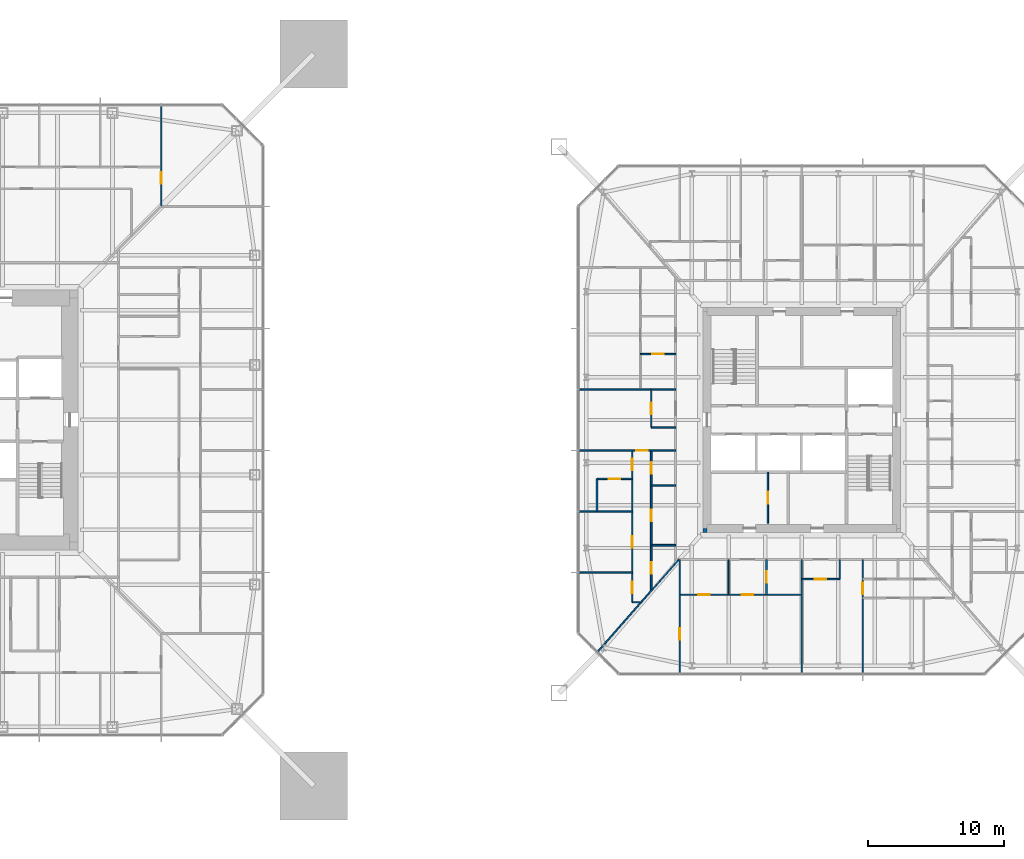
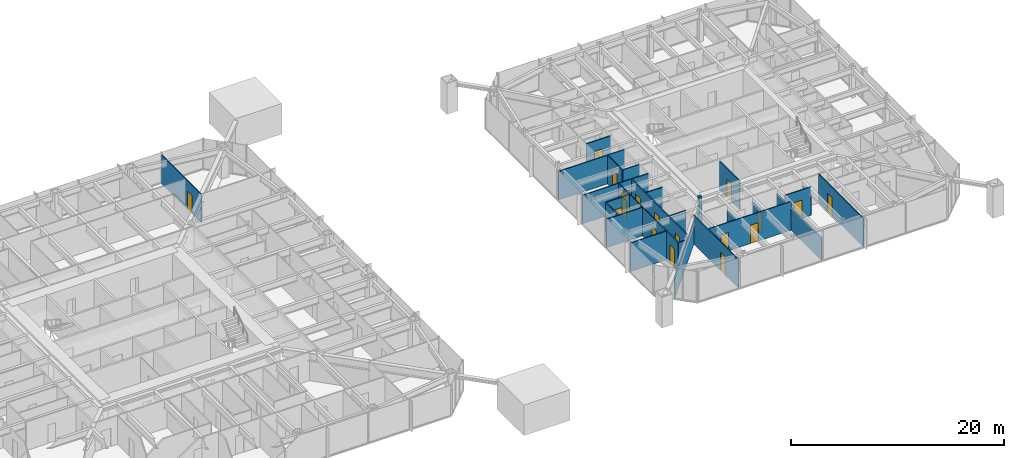
# One storey, part 18 of 26: 26 walls, 18 doors, 18 openings.
"""IFC4 building model written with IfcOpenShell, lengths in metres."""

from ifc_helpers import new_model, si_unit, direction, frame, frame_2d, origin, place, context, subcontext, project, spatial, rectangle, extrude, material, layer, layer_set, type_object, element, fill, save


model = new_model("IFC4")

# Units and contexts
model_context = context("Model", 3, precision=1e-05, world=origin(), true_north=direction((0.0, 1.0)))
body_context = subcontext(model_context, "Body", "Model", "MODEL_VIEW")
ifc_project = project(units=[si_unit("LENGTHUNIT", "METRE"), si_unit("AREAUNIT", "SQUARE_METRE"), si_unit("VOLUMEUNIT", "CUBIC_METRE"), si_unit("PLANEANGLEUNIT", "RADIAN"), si_unit("MASSUNIT", "GRAM", prefix="KILO")], contexts=[model_context])

# Site, building, storey
site_placement = place(None, origin())
site = spatial("IfcSite", under=ifc_project, at=site_placement, CompositionType="ELEMENT")
building_placement = place(site_placement, origin())
building = spatial("IfcBuilding", under=site, at=building_placement, Name="Iwan Alto Co-Living Towers", CompositionType="ELEMENT")
storey_placement = place(building_placement, frame((0.0, 0.0, 67.5)))
storey = spatial("IfcBuildingStorey", under=building, at=storey_placement, Name="L18", CompositionType="ELEMENT", Elevation=67.5)

# Wall
ifc_material_1 = material(Name="Gypsum board")
ifc_layer_1 = layer(ifc_material_1, 0.012451171875, Name="Board", Category="Finish")
ifc_material_2 = material(Name="Steel ASTM A1003 ST33H cold-formed studs", Category="steel")
ifc_layer_2 = layer(ifc_material_2, 0.074951171875, Name="Studs", Category="Framing")
ifc_layer_3 = layer(ifc_material_1, 0.012451171875, Name="Board", Category="Finish")
ifc_layer_set_1 = layer_set([ifc_layer_1, ifc_layer_2, ifc_layer_3], Name="PARTITION 100")
wall_type_1 = type_object("IfcWallType", Name="PARTITION 100", PredefinedType="PARTITIONING", material=ifc_layer_set_1)
wall_1_placement = place(storey_placement, frame((50.5, -13.449951171875, 0.0), z_axis=(0.0, 0.0, 1.0), x_axis=(1.0, 0.0, 0.0)))
element("IfcWall", 1, at=wall_1_placement, inside=storey, type_object=wall_type_1, Name="Partition L18", PredefinedType="PARTITIONING", context=body_context, shape_type="SweptSolid", body=[
    extrude(rectangle(XDim=0.6640625, YDim=0.10009765625, at=frame_2d((0.33203125, 0.0))), origin(), (0.0, 0.0, 1.0), 3.27001953125),
])

# Wall, openings, doors
wall_2_placement = place(storey_placement, frame((54.0, -12.89990234375, 0.0), z_axis=(0.0, 0.0, 1.0), x_axis=(1.0, 0.0, 0.0)))
wall_2 = element("IfcWall", 2, at=wall_2_placement, inside=storey, type_object=wall_type_1, Name="Partition L18", PredefinedType="PARTITIONING", context=body_context, shape_type="SweptSolid", body=[
    extrude(rectangle(XDim=9.0, YDim=0.10009765625, at=frame_2d((4.5, 0.0))), origin(), (0.0, 0.0, 1.0), 3.27001953125),
])
opening_1_placement = place(wall_2_placement, frame((1.375, 0.0, 0.0)))
opening_1 = element("IfcOpeningElement", 3, at=opening_1_placement, cuts=wall_2, Name="Opening D2", PredefinedType="OPENING", context=body_context, shape_type="SweptSolid", body=[
    extrude(rectangle(XDim=0.85009765625, YDim=2.10009765625, at=frame_2d((0.425048828125, 1.050048828125))), frame((0.0, 0.06005859375, 0.0), z_axis=(0.0, -1.0, 0.0), x_axis=(1.0, 0.0, 0.0)), (0.0, 0.0, 1.0), 0.1201171875),
])
opening_2_placement = place(wall_2_placement, frame((4.574951171875, 0.0, 0.0)))
opening_2 = element("IfcOpeningElement", 4, at=opening_2_placement, cuts=wall_2, Name="Opening D2", PredefinedType="OPENING", context=body_context, shape_type="SweptSolid", body=[
    extrude(rectangle(XDim=0.85009765625, YDim=2.10009765625, at=frame_2d((0.425048828125, 1.050048828125))), frame((0.0, 0.06005859375, 0.0), z_axis=(0.0, -1.0, 0.0), x_axis=(1.0, 0.0, 0.0)), (0.0, 0.0, 1.0), 0.1201171875),
])
ifc_material_3 = material(Name="Timber leaf in steel frame", Category="steel")
door_type_1 = type_object("IfcDoorType", Name="ROOM DOOR 850X2100", OperationType="SINGLE_SWING_LEFT", PredefinedType="DOOR", material=ifc_material_3)
door_1_placement = place(opening_1_placement, frame((0.85009765625, 0.0, 0.0), z_axis=(0.0, 0.0, 1.0), x_axis=(-1.0, 0.0, 0.0)))
door_1 = element("IfcDoor", 5, at=door_1_placement, inside=storey, type_object=door_type_1, Name="Kitchen door L18", OperationType="SINGLE_SWING_RIGHT", OverallHeight=2.10009765625, OverallWidth=0.85009765625, PredefinedType="DOOR", context=body_context, shape_type="SweptSolid", body=[
    extrude(rectangle(XDim=0.85009765625, YDim=2.10009765625, at=frame_2d((0.425048828125, 1.050048828125))), frame((0.0, 0.02490234375, 0.0), z_axis=(0.0, -1.0, 0.0), x_axis=(1.0, 0.0, 0.0)), (0.0, 0.0, 1.0), 0.050048828125),
])
fill(opening_1, door_1)
door_2_placement = place(opening_2_placement, frame((0.85009765625, 0.0, 0.0), z_axis=(0.0, 0.0, 1.0), x_axis=(-1.0, 0.0, 0.0)))
door_2 = element("IfcDoor", 6, at=door_2_placement, inside=storey, type_object=door_type_1, Name="Apartment foyer door L18", OperationType="SINGLE_SWING_LEFT", OverallHeight=2.10009765625, OverallWidth=0.85009765625, PredefinedType="DOOR", context=body_context, shape_type="SweptSolid", body=[
    extrude(rectangle(XDim=0.85009765625, YDim=2.10009765625, at=frame_2d((0.425048828125, 1.050048828125))), frame((0.0, 0.02490234375, 0.0), z_axis=(0.0, -1.0, 0.0), x_axis=(1.0, 0.0, 0.0)), (0.0, 0.0, 1.0), 0.050048828125),
])
fill(opening_2, door_2)

# Wall, opening, door
wall_3_placement = place(storey_placement, frame((63.0, -11.75, 0.0), z_axis=(0.0, 0.0, 1.0), x_axis=(1.0, 0.0, 0.0)))
wall_3 = element("IfcWall", 7, at=wall_3_placement, inside=storey, type_object=wall_type_1, Name="Partition L18", PredefinedType="PARTITIONING", context=body_context, shape_type="SweptSolid", body=[
    extrude(rectangle(XDim=2.800048828125, YDim=0.10009765625, at=frame_2d((1.39990234375, 0.0))), origin(), (0.0, 0.0, 1.0), 3.27001953125),
])
opening_3_placement = place(wall_3_placement, frame((0.97509765625, 0.0, 0.0)))
opening_3 = element("IfcOpeningElement", 8, at=opening_3_placement, cuts=wall_3, Name="Opening D2", PredefinedType="OPENING", context=body_context, shape_type="SweptSolid", body=[
    extrude(rectangle(XDim=0.85009765625, YDim=2.10009765625, at=frame_2d((0.425048828125, 1.050048828125))), frame((0.0, 0.06005859375, 0.0), z_axis=(0.0, -1.0, 0.0), x_axis=(1.0, 0.0, 0.0)), (0.0, 0.0, 1.0), 0.1201171875),
])
door_3_placement = place(opening_3_placement, frame((0.85009765625, 0.0, 0.0), z_axis=(0.0, 0.0, 1.0), x_axis=(-1.0, 0.0, 0.0)))
door_3 = element("IfcDoor", 9, at=door_3_placement, inside=storey, type_object=door_type_1, Name="Apartment foyer door L18", OperationType="SINGLE_SWING_RIGHT", OverallHeight=2.10009765625, OverallWidth=0.85009765625, PredefinedType="DOOR", context=body_context, shape_type="SweptSolid", body=[
    extrude(rectangle(XDim=0.85009765625, YDim=2.10009765625, at=frame_2d((0.425048828125, 1.050048828125))), frame((0.0, 0.02490234375, 0.0), z_axis=(0.0, -1.0, 0.0), x_axis=(1.0, 0.0, 0.0)), (0.0, 0.0, 1.0), 0.050048828125),
])
fill(opening_3, door_3)

# Wall
wall_4_placement = place(storey_placement, frame((46.56005859375, -11.25, 0.0), z_axis=(0.0, 0.0, 1.0), x_axis=(1.0, 0.0, 0.0)))
element("IfcWall", 10, at=wall_4_placement, inside=storey, type_object=wall_type_1, Name="Partition L18", PredefinedType="PARTITIONING", context=body_context, shape_type="SweptSolid", body=[
    extrude(rectangle(XDim=3.93994140625, YDim=0.10009765625, at=frame_2d((1.969970703125, 0.0))), origin(), (0.0, 0.0, 1.0), 3.27001953125),
])

# Wall, opening, door
wall_5_placement = place(storey_placement, frame((46.56005859375, -2.25, 0.0), z_axis=(0.0, 0.0, 1.0), x_axis=(1.0, 0.0, 0.0)))
wall_5 = element("IfcWall", 11, at=wall_5_placement, inside=storey, type_object=wall_type_1, Name="Partition L18", PredefinedType="PARTITIONING", context=body_context, shape_type="SweptSolid", body=[
    extrude(rectangle(XDim=7.139892578125, YDim=0.10009765625, at=frame_2d((3.56982421875, 0.0))), origin(), (0.0, 0.0, 1.0), 3.27001953125),
])
opening_4_placement = place(wall_5_placement, frame((4.215087890625, 0.0, 0.0)))
opening_4 = element("IfcOpeningElement", 12, at=opening_4_placement, cuts=wall_5, Name="Opening D2", PredefinedType="OPENING", context=body_context, shape_type="SweptSolid", body=[
    extrude(rectangle(XDim=0.85009765625, YDim=2.10009765625, at=frame_2d((0.425048828125, 1.050048828125))), frame((0.0, 0.06005859375, 0.0), z_axis=(0.0, -1.0, 0.0), x_axis=(1.0, 0.0, 0.0)), (0.0, 0.0, 1.0), 0.1201171875),
])
door_4_placement = place(opening_4_placement, origin())
door_4 = element("IfcDoor", 13, at=door_4_placement, inside=storey, type_object=door_type_1, Name="Apartment hall door L18", OperationType="SINGLE_SWING_RIGHT", OverallHeight=2.10009765625, OverallWidth=0.85009765625, PredefinedType="DOOR", context=body_context, shape_type="SweptSolid", body=[
    extrude(rectangle(XDim=0.85009765625, YDim=2.10009765625, at=frame_2d((0.425048828125, 1.050048828125))), frame((0.0, 0.02490234375, 0.0), z_axis=(0.0, -1.0, 0.0), x_axis=(1.0, 0.0, 0.0)), (0.0, 0.0, 1.0), 0.050048828125),
])
fill(opening_4, door_4)

# Walls
wall_6_placement = place(storey_placement, frame((51.89990234375, -0.550048828125, 0.0), z_axis=(0.0, 0.0, 1.0), x_axis=(1.0, 0.0, 0.0)))
element("IfcWall", 14, at=wall_6_placement, inside=storey, type_object=wall_type_1, Name="Partition L18", PredefinedType="PARTITIONING", context=body_context, shape_type="SweptSolid", body=[
    extrude(rectangle(XDim=1.800048828125, YDim=0.10009765625, at=frame_2d((0.89990234375, 0.0))), origin(), (0.0, 0.0, 1.0), 3.27001953125),
])
wall_7_placement = place(storey_placement, frame((46.56005859375, 2.25, 0.0), z_axis=(0.0, 0.0, 1.0), x_axis=(1.0, 0.0, 0.0)))
element("IfcWall", 15, at=wall_7_placement, inside=storey, type_object=wall_type_1, Name="Partition L18", PredefinedType="PARTITIONING", context=body_context, shape_type="SweptSolid", body=[
    extrude(rectangle(XDim=7.139892578125, YDim=0.10009765625, at=frame_2d((3.56982421875, 0.0))), origin(), (0.0, 0.0, 1.0), 3.27001953125),
])
wall_8_placement = place(storey_placement, frame((47.944091796875, -17.10888671875, 0.0), z_axis=(0.0, 0.0, 1.0), x_axis=(0.660638210404, 0.750704439146, 0.0)))
element("IfcWall", 16, at=wall_8_placement, inside=storey, type_object=wall_type_1, Name="Partition L18", PredefinedType="PARTITIONING", context=body_context, shape_type="SweptSolid", body=[
    extrude(rectangle(XDim=9.06982421875, YDim=0.10009765625, at=frame_2d((4.534912109375, 0.0))), origin(), (0.0, 0.0, 1.0), 2.42919921875),
])

# Wall, opening, door
wall_9_placement = place(storey_placement, frame((67.5, -18.68994140625, 0.0), z_axis=(0.0, 0.0, 1.0), x_axis=(0.0, 1.0, 0.0)))
wall_9 = element("IfcWall", 17, at=wall_9_placement, inside=storey, type_object=wall_type_1, Name="Partition L18", PredefinedType="PARTITIONING", context=body_context, shape_type="SweptSolid", body=[
    extrude(rectangle(XDim=8.389892578125, YDim=0.10009765625, at=frame_2d((4.19482421875, 0.0))), origin(), (0.0, 0.0, 1.0), 3.27001953125),
])
opening_5_placement = place(wall_9_placement, frame((5.81494140625, 0.0, 0.0)))
opening_5 = element("IfcOpeningElement", 18, at=opening_5_placement, cuts=wall_9, Name="Opening D2", PredefinedType="OPENING", context=body_context, shape_type="SweptSolid", body=[
    extrude(rectangle(XDim=0.85009765625, YDim=2.10009765625, at=frame_2d((0.425048828125, 1.050048828125))), frame((0.0, 0.06005859375, 0.0), z_axis=(0.0, -1.0, 0.0), x_axis=(1.0, 0.0, 0.0)), (0.0, 0.0, 1.0), 0.1201171875),
])
door_5_placement = place(opening_5_placement, origin())
door_5 = element("IfcDoor", 19, at=door_5_placement, inside=storey, type_object=door_type_1, Name="Apartment hall door L18", OperationType="SINGLE_SWING_RIGHT", OverallHeight=2.10009765625, OverallWidth=0.85009765625, PredefinedType="DOOR", context=body_context, shape_type="SweptSolid", body=[
    extrude(rectangle(XDim=0.85009765625, YDim=2.10009765625, at=frame_2d((0.425048828125, 1.050048828125))), frame((0.0, 0.02490234375, 0.0), z_axis=(0.0, -1.0, 0.0), x_axis=(1.0, 0.0, 0.0)), (0.0, 0.0, 1.0), 0.050048828125),
])
fill(opening_5, door_5)

# Walls
wall_10_placement = place(storey_placement, frame((65.800048828125, -11.75, 0.0), z_axis=(0.0, 0.0, 1.0), x_axis=(0.0, 1.0, 0.0)))
element("IfcWall", 20, at=wall_10_placement, inside=storey, type_object=wall_type_1, Name="Partition L18", PredefinedType="PARTITIONING", context=body_context, shape_type="SweptSolid", body=[
    extrude(rectangle(XDim=1.449951171875, YDim=0.10009765625, at=frame_2d((0.72509765625, 0.0))), origin(), (0.0, 0.0, 1.0), 2.508056640625),
])
wall_11_placement = place(storey_placement, frame((63.0, -18.68994140625, 0.0), z_axis=(0.0, 0.0, 1.0), x_axis=(0.0, 1.0, 0.0)))
element("IfcWall", 21, at=wall_11_placement, inside=storey, type_object=wall_type_1, Name="Partition L18", PredefinedType="PARTITIONING", context=body_context, shape_type="SweptSolid", body=[
    extrude(rectangle(XDim=8.389892578125, YDim=0.10009765625, at=frame_2d((4.19482421875, 0.0))), origin(), (0.0, 0.0, 1.0), 2.586669921875),
])

# Wall, opening, door
wall_12_placement = place(storey_placement, frame((60.5, -7.639892578125, 0.0), z_axis=(0.0, 0.0, 1.0), x_axis=(0.0, 1.0, 0.0)))
wall_12 = element("IfcWall", 22, at=wall_12_placement, inside=storey, type_object=wall_type_1, Name="Partition L18", PredefinedType="PARTITIONING", context=body_context, shape_type="SweptSolid", body=[
    extrude(rectangle(XDim=3.789794921875, YDim=0.10009765625, at=frame_2d((1.89501953125, 0.0))), origin(), (0.0, 0.0, 1.0), 3.300048828125),
])
opening_6_placement = place(wall_12_placement, frame((1.445068359375, 0.0, 0.0)))
opening_6 = element("IfcOpeningElement", 23, at=opening_6_placement, cuts=wall_12, Name="Opening D16", PredefinedType="OPENING", context=body_context, shape_type="SweptSolid", body=[
    extrude(rectangle(XDim=0.89990234375, YDim=2.10009765625, at=frame_2d((0.449951171875, 1.050048828125))), frame((0.0, 0.06005859375, 0.0), z_axis=(0.0, -1.0, 0.0), x_axis=(1.0, 0.0, 0.0)), (0.0, 0.0, 1.0), 0.1201171875),
])
ifc_material_4 = material(Name="Timber leaf in steel frame", Category="steel")
door_type_2 = type_object("IfcDoorType", Name="CUPBOARD SLIDING DOOR 900X2100", OperationType="SLIDING_TO_LEFT", PredefinedType="DOOR", material=ifc_material_4)
door_6_placement = place(opening_6_placement, origin())
door_6 = element("IfcDoor", 24, at=door_6_placement, inside=storey, type_object=door_type_2, Name="Recycling store door L18", OperationType="SLIDING_TO_LEFT", OverallHeight=2.10009765625, OverallWidth=0.89990234375, PredefinedType="DOOR", context=body_context, shape_type="SweptSolid", body=[
    extrude(rectangle(XDim=0.89990234375, YDim=2.10009765625, at=frame_2d((0.449951171875, 1.050048828125))), frame((0.0, 0.02490234375, 0.0), z_axis=(0.0, -1.0, 0.0), x_axis=(1.0, 0.0, 0.0)), (0.0, 0.0, 1.0), 0.050048828125),
])
fill(opening_6, door_6)

# Wall
wall_13_placement = place(storey_placement, frame((57.60009765625, -12.89990234375, 0.0), z_axis=(0.0, 0.0, 1.0), x_axis=(0.0, 1.0, 0.0)))
element("IfcWall", 25, at=wall_13_placement, inside=storey, type_object=wall_type_1, Name="Partition L18", PredefinedType="PARTITIONING", context=body_context, shape_type="SweptSolid", body=[
    extrude(rectangle(XDim=2.599853515625, YDim=0.10009765625, at=frame_2d((1.2998046875, 0.0))), origin(), (0.0, 0.0, 1.0), 2.586669921875),
])

# Wall, opening, door
wall_14_placement = place(storey_placement, frame((54.0, -18.68994140625, 0.0), z_axis=(0.0, 0.0, 1.0), x_axis=(0.0, 1.0, 0.0)))
wall_14 = element("IfcWall", 26, at=wall_14_placement, inside=storey, type_object=wall_type_1, Name="Partition L18", PredefinedType="PARTITIONING", context=body_context, shape_type="SweptSolid", body=[
    extrude(rectangle(XDim=8.389892578125, YDim=0.10009765625, at=frame_2d((4.19482421875, 0.0))), origin(), (0.0, 0.0, 1.0), 3.27001953125),
])
opening_7_placement = place(wall_14_placement, frame((2.469970703125, 0.0, 0.0)))
opening_7 = element("IfcOpeningElement", 27, at=opening_7_placement, cuts=wall_14, Name="Opening D2", PredefinedType="OPENING", context=body_context, shape_type="SweptSolid", body=[
    extrude(rectangle(XDim=0.85009765625, YDim=2.10009765625, at=frame_2d((0.425048828125, 1.050048828125))), frame((0.0, 0.06005859375, 0.0), z_axis=(0.0, -1.0, 0.0), x_axis=(1.0, 0.0, 0.0)), (0.0, 0.0, 1.0), 0.1201171875),
])
door_7_placement = place(opening_7_placement, frame((0.85009765625, 0.0, 0.0), z_axis=(0.0, 0.0, 1.0), x_axis=(-1.0, 0.0, 0.0)))
door_7 = element("IfcDoor", 28, at=door_7_placement, inside=storey, type_object=door_type_1, Name="Bedroom door L18", OperationType="SINGLE_SWING_LEFT", OverallHeight=2.10009765625, OverallWidth=0.85009765625, PredefinedType="DOOR", context=body_context, shape_type="SweptSolid", body=[
    extrude(rectangle(XDim=0.85009765625, YDim=2.10009765625, at=frame_2d((0.425048828125, 1.050048828125))), frame((0.0, 0.02490234375, 0.0), z_axis=(0.0, -1.0, 0.0), x_axis=(1.0, 0.0, 0.0)), (0.0, 0.0, 1.0), 0.050048828125),
])
fill(opening_7, door_7)

wall_15_placement = place(storey_placement, frame((51.89990234375, -0.550048828125, 0.0), z_axis=(0.0, 0.0, 1.0), x_axis=(0.0, 1.0, 0.0)))
wall_15 = element("IfcWall", 29, at=wall_15_placement, inside=storey, type_object=wall_type_1, Name="Partition L18", PredefinedType="PARTITIONING", context=body_context, shape_type="SweptSolid", body=[
    extrude(rectangle(XDim=2.800048828125, YDim=0.10009765625, at=frame_2d((1.39990234375, 0.0))), origin(), (0.0, 0.0, 1.0), 3.27001953125),
])
opening_8_placement = place(wall_15_placement, frame((0.97509765625, 0.0, 0.0)))
opening_8 = element("IfcOpeningElement", 30, at=opening_8_placement, cuts=wall_15, Name="Opening D2", PredefinedType="OPENING", context=body_context, shape_type="SweptSolid", body=[
    extrude(rectangle(XDim=0.85009765625, YDim=2.10009765625, at=frame_2d((0.425048828125, 1.050048828125))), frame((0.0, 0.06005859375, 0.0), z_axis=(0.0, -1.0, 0.0), x_axis=(1.0, 0.0, 0.0)), (0.0, 0.0, 1.0), 0.1201171875),
])
door_8_placement = place(opening_8_placement, origin())
door_8 = element("IfcDoor", 31, at=door_8_placement, inside=storey, type_object=door_type_1, Name="Apartment foyer door L18", OperationType="SINGLE_SWING_RIGHT", OverallHeight=2.10009765625, OverallWidth=0.85009765625, PredefinedType="DOOR", context=body_context, shape_type="SweptSolid", body=[
    extrude(rectangle(XDim=0.85009765625, YDim=2.10009765625, at=frame_2d((0.425048828125, 1.050048828125))), frame((0.0, 0.02490234375, 0.0), z_axis=(0.0, -1.0, 0.0), x_axis=(1.0, 0.0, 0.0)), (0.0, 0.0, 1.0), 0.050048828125),
])
fill(opening_8, door_8)

# Wall, openings, doors
wall_16_placement = place(storey_placement, frame((50.5, -13.449951171875, 0.0), z_axis=(0.0, 0.0, 1.0), x_axis=(0.0, 1.0, 0.0)))
wall_16 = element("IfcWall", 32, at=wall_16_placement, inside=storey, type_object=wall_type_1, Name="Partition L18", PredefinedType="PARTITIONING", context=body_context, shape_type="SweptSolid", body=[
    extrude(rectangle(XDim=11.199951171875, YDim=0.10009765625, at=frame_2d((5.60009765625, 0.0))), origin(), (0.0, 0.0, 1.0), 3.27001953125),
])
opening_9_placement = place(wall_16_placement, frame((9.72509765625, 0.0, 0.0)))
opening_9 = element("IfcOpeningElement", 33, at=opening_9_placement, cuts=wall_16, Name="Opening D2", PredefinedType="OPENING", context=body_context, shape_type="SweptSolid", body=[
    extrude(rectangle(XDim=0.85009765625, YDim=2.10009765625, at=frame_2d((0.425048828125, 1.050048828125))), frame((0.0, 0.06005859375, 0.0), z_axis=(0.0, -1.0, 0.0), x_axis=(1.0, 0.0, 0.0)), (0.0, 0.0, 1.0), 0.1201171875),
])
opening_10_placement = place(wall_16_placement, frame((4.02490234375, 0.0, 0.0)))
opening_10 = element("IfcOpeningElement", 34, at=opening_10_placement, cuts=wall_16, Name="Opening D2", PredefinedType="OPENING", context=body_context, shape_type="SweptSolid", body=[
    extrude(rectangle(XDim=0.85009765625, YDim=2.10009765625, at=frame_2d((0.425048828125, 1.050048828125))), frame((0.0, 0.06005859375, 0.0), z_axis=(0.0, -1.0, 0.0), x_axis=(1.0, 0.0, 0.0)), (0.0, 0.0, 1.0), 0.1201171875),
])
opening_11_placement = place(wall_16_placement, frame((0.675048828125, 0.0, 0.0)))
opening_11 = element("IfcOpeningElement", 35, at=opening_11_placement, cuts=wall_16, Name="Opening D2", PredefinedType="OPENING", context=body_context, shape_type="SweptSolid", body=[
    extrude(rectangle(XDim=0.85009765625, YDim=2.10009765625, at=frame_2d((0.425048828125, 1.050048828125))), frame((0.0, 0.06005859375, 0.0), z_axis=(0.0, -1.0, 0.0), x_axis=(1.0, 0.0, 0.0)), (0.0, 0.0, 1.0), 0.1201171875),
])
door_9_placement = place(opening_9_placement, origin())
door_9 = element("IfcDoor", 36, at=door_9_placement, inside=storey, type_object=door_type_1, Name="Bedroom door L18", OperationType="SINGLE_SWING_LEFT", OverallHeight=2.10009765625, OverallWidth=0.85009765625, PredefinedType="DOOR", context=body_context, shape_type="SweptSolid", body=[
    extrude(rectangle(XDim=0.85009765625, YDim=2.10009765625, at=frame_2d((0.425048828125, 1.050048828125))), frame((0.0, 0.02490234375, 0.0), z_axis=(0.0, -1.0, 0.0), x_axis=(1.0, 0.0, 0.0)), (0.0, 0.0, 1.0), 0.050048828125),
])
fill(opening_9, door_9)
door_10_placement = place(opening_10_placement, origin())
door_10 = element("IfcDoor", 37, at=door_10_placement, inside=storey, type_object=door_type_1, Name="Bedroom door L18", OperationType="SINGLE_SWING_LEFT", OverallHeight=2.10009765625, OverallWidth=0.85009765625, PredefinedType="DOOR", context=body_context, shape_type="SweptSolid", body=[
    extrude(rectangle(XDim=0.85009765625, YDim=2.10009765625, at=frame_2d((0.425048828125, 1.050048828125))), frame((0.0, 0.02490234375, 0.0), z_axis=(0.0, -1.0, 0.0), x_axis=(1.0, 0.0, 0.0)), (0.0, 0.0, 1.0), 0.050048828125),
])
fill(opening_10, door_10)
door_11_placement = place(opening_11_placement, origin())
door_11 = element("IfcDoor", 38, at=door_11_placement, inside=storey, type_object=door_type_1, Name="Bedroom door L18", OperationType="SINGLE_SWING_RIGHT", OverallHeight=2.10009765625, OverallWidth=0.85009765625, PredefinedType="DOOR", context=body_context, shape_type="SweptSolid", body=[
    extrude(rectangle(XDim=0.85009765625, YDim=2.10009765625, at=frame_2d((0.425048828125, 1.050048828125))), frame((0.0, 0.02490234375, 0.0), z_axis=(0.0, -1.0, 0.0), x_axis=(1.0, 0.0, 0.0)), (0.0, 0.0, 1.0), 0.050048828125),
])
fill(opening_11, door_11)

# Wall, opening, door
wall_17_placement = place(storey_placement, frame((15.75, 15.75, 0.0), z_axis=(0.0, 0.0, 1.0), x_axis=(0.0, 1.0, 0.0)))
wall_17 = element("IfcWall", 39, at=wall_17_placement, inside=storey, type_object=wall_type_1, Name="Partition L18", PredefinedType="PARTITIONING", context=body_context, shape_type="SweptSolid", body=[
    extrude(rectangle(XDim=7.43994140625, YDim=0.10009765625, at=frame_2d((3.719970703125, 0.0))), origin(), (0.0, 0.0, 1.0), 3.27001953125),
])
opening_12_placement = place(wall_17_placement, frame((1.675048828125, 0.0, 0.0)))
opening_12 = element("IfcOpeningElement", 40, at=opening_12_placement, cuts=wall_17, Name="Opening D2", PredefinedType="OPENING", context=body_context, shape_type="SweptSolid", body=[
    extrude(rectangle(XDim=0.85009765625, YDim=2.10009765625, at=frame_2d((0.425048828125, 1.050048828125))), frame((0.0, 0.06005859375, 0.0), z_axis=(0.0, -1.0, 0.0), x_axis=(1.0, 0.0, 0.0)), (0.0, 0.0, 1.0), 0.1201171875),
])
door_12_placement = place(opening_12_placement, origin())
door_12 = element("IfcDoor", 41, at=door_12_placement, inside=storey, type_object=door_type_1, Name="Study lounge door L18", OperationType="SINGLE_SWING_RIGHT", OverallHeight=2.10009765625, OverallWidth=0.85009765625, PredefinedType="DOOR", context=body_context, shape_type="SweptSolid", body=[
    extrude(rectangle(XDim=0.85009765625, YDim=2.10009765625, at=frame_2d((0.425048828125, 1.050048828125))), frame((0.0, 0.02490234375, 0.0), z_axis=(0.0, -1.0, 0.0), x_axis=(1.0, 0.0, 0.0)), (0.0, 0.0, 1.0), 0.050048828125),
])
fill(opening_12, door_12)

# Walls
ifc_material_5 = material(Name="Concrete f'c 70 MPa", Category="concrete")
ifc_layer_4 = layer(ifc_material_5, 0.300048828125)
ifc_layer_set_2 = layer_set([ifc_layer_4], Name="T2 CORE CORNER FILL 300")
wall_type_2 = type_object("IfcWallType", Name="T2 CORE CORNER FILL 300", PredefinedType="SOLIDWALL", material=ifc_layer_set_2)
wall_18_placement = place(storey_placement, frame((55.699951171875, -8.14990234375, 0.0), z_axis=(0.0, 0.0, 1.0), x_axis=(1.0, 0.0, 0.0)))
element("IfcWall", 42, at=wall_18_placement, inside=storey, type_object=wall_type_2, Name="T2 core corner SW L18", PredefinedType="SOLIDWALL", context=body_context, shape_type="SweptSolid", body=[
    extrude(rectangle(XDim=0.300048828125, YDim=0.300048828125, at=frame_2d((0.14990234375, 0.0))), origin(), (0.0, 0.0, 1.0), 3.5),
])
ifc_material_6 = material(Name="Cement board")
ifc_layer_5 = layer(ifc_material_6, 0.012451171875, Name="Board", Category="Finish")
ifc_layer_6 = layer(ifc_material_2, 0.094970703125, Name="Studs", Category="Framing")
ifc_layer_7 = layer(ifc_material_6, 0.012451171875, Name="Board", Category="Finish")
ifc_layer_set_3 = layer_set([ifc_layer_5, ifc_layer_6, ifc_layer_7], Name="WET AREA PARTITION 120")
wall_type_3 = type_object("IfcWallType", Name="WET AREA PARTITION 120", PredefinedType="PARTITIONING", material=ifc_layer_set_3)
wall_19_placement = place(storey_placement, frame((51.89990234375, -9.25, 0.0), z_axis=(0.0, 0.0, 1.0), x_axis=(1.0, 0.0, 0.0)))
element("IfcWall", 43, at=wall_19_placement, inside=storey, type_object=wall_type_3, Name="Partition L18", PredefinedType="PARTITIONING", context=body_context, shape_type="SweptSolid", body=[
    extrude(rectangle(XDim=1.800048828125, YDim=0.1201171875, at=frame_2d((0.89990234375, 0.0))), origin(), (0.0, 0.0, 1.0), 3.27001953125),
])
wall_20_placement = place(storey_placement, frame((46.56005859375, -6.75, 0.0), z_axis=(0.0, 0.0, 1.0), x_axis=(1.0, 0.0, 0.0)))
element("IfcWall", 44, at=wall_20_placement, inside=storey, type_object=wall_type_3, Name="Partition L18", PredefinedType="PARTITIONING", context=body_context, shape_type="SweptSolid", body=[
    extrude(rectangle(XDim=3.93994140625, YDim=0.1201171875, at=frame_2d((1.969970703125, 0.0))), origin(), (0.0, 0.0, 1.0), 3.27001953125),
])
wall_21_placement = place(storey_placement, frame((51.89990234375, -4.85009765625, 0.0), z_axis=(0.0, 0.0, 1.0), x_axis=(1.0, 0.0, 0.0)))
element("IfcWall", 45, at=wall_21_placement, inside=storey, type_object=wall_type_3, Name="Partition L18", PredefinedType="PARTITIONING", context=body_context, shape_type="SweptSolid", body=[
    extrude(rectangle(XDim=1.800048828125, YDim=0.1201171875, at=frame_2d((0.89990234375, 0.0))), origin(), (0.0, 0.0, 1.0), 3.27001953125),
])

# Wall, opening, door
wall_22_placement = place(storey_placement, frame((47.89990234375, -4.35009765625, 0.0), z_axis=(0.0, 0.0, 1.0), x_axis=(1.0, 0.0, 0.0)))
wall_22 = element("IfcWall", 46, at=wall_22_placement, inside=storey, type_object=wall_type_3, Name="Partition L18", PredefinedType="PARTITIONING", context=body_context, shape_type="SweptSolid", body=[
    extrude(rectangle(XDim=2.60009765625, YDim=0.1201171875, at=frame_2d((1.300048828125, 0.0))), origin(), (0.0, 0.0, 1.0), 3.27001953125),
])
opening_13_placement = place(wall_22_placement, frame((0.875, 0.0, 0.0)))
opening_13 = element("IfcOpeningElement", 47, at=opening_13_placement, cuts=wall_22, Name="Opening D2", PredefinedType="OPENING", context=body_context, shape_type="SweptSolid", body=[
    extrude(rectangle(XDim=0.85009765625, YDim=2.10009765625, at=frame_2d((0.425048828125, 1.050048828125))), frame((0.0, 0.070068359375, 0.0), z_axis=(0.0, -1.0, 0.0), x_axis=(1.0, 0.0, 0.0)), (0.0, 0.0, 1.0), 0.14013671875),
])
door_13_placement = place(opening_13_placement, origin())
door_13 = element("IfcDoor", 48, at=door_13_placement, inside=storey, type_object=door_type_1, Name="En-suite shower room door L18", OperationType="SINGLE_SWING_RIGHT", OverallHeight=2.10009765625, OverallWidth=0.85009765625, PredefinedType="DOOR", context=body_context, shape_type="SweptSolid", body=[
    extrude(rectangle(XDim=0.85009765625, YDim=2.10009765625, at=frame_2d((0.425048828125, 1.050048828125))), frame((0.0, 0.02490234375, 0.0), z_axis=(0.0, -1.0, 0.0), x_axis=(1.0, 0.0, 0.0)), (0.0, 0.0, 1.0), 0.050048828125),
])
fill(opening_13, door_13)

wall_23_placement = place(storey_placement, frame((51.10009765625, 4.85009765625, 0.0), z_axis=(0.0, 0.0, 1.0), x_axis=(1.0, 0.0, 0.0)))
wall_23 = element("IfcWall", 49, at=wall_23_placement, inside=storey, type_object=wall_type_3, Name="Partition L18", PredefinedType="PARTITIONING", context=body_context, shape_type="SweptSolid", body=[
    extrude(rectangle(XDim=2.599853515625, YDim=0.1201171875, at=frame_2d((1.2998046875, 0.0))), origin(), (0.0, 0.0, 1.0), 3.27001953125),
])
opening_14_placement = place(wall_23_placement, frame((0.875, 0.0, 0.0)))
opening_14 = element("IfcOpeningElement", 50, at=opening_14_placement, cuts=wall_23, Name="Opening D2", PredefinedType="OPENING", context=body_context, shape_type="SweptSolid", body=[
    extrude(rectangle(XDim=0.85009765625, YDim=2.10009765625, at=frame_2d((0.425048828125, 1.050048828125))), frame((0.0, 0.070068359375, 0.0), z_axis=(0.0, -1.0, 0.0), x_axis=(1.0, 0.0, 0.0)), (0.0, 0.0, 1.0), 0.14013671875),
])
door_14_placement = place(opening_14_placement, frame((0.85009765625, 0.0, 0.0), z_axis=(0.0, 0.0, 1.0), x_axis=(-1.0, 0.0, 0.0)))
door_14 = element("IfcDoor", 51, at=door_14_placement, inside=storey, type_object=door_type_1, Name="Bathroom door L18", OperationType="SINGLE_SWING_RIGHT", OverallHeight=2.10009765625, OverallWidth=0.85009765625, PredefinedType="DOOR", context=body_context, shape_type="SweptSolid", body=[
    extrude(rectangle(XDim=0.85009765625, YDim=2.10009765625, at=frame_2d((0.425048828125, 1.050048828125))), frame((0.0, 0.02490234375, 0.0), z_axis=(0.0, -1.0, 0.0), x_axis=(1.0, 0.0, 0.0)), (0.0, 0.0, 1.0), 0.050048828125),
])
fill(opening_14, door_14)

wall_24_placement = place(storey_placement, frame((60.39990234375, -12.89990234375, 0.0), z_axis=(0.0, 0.0, 1.0), x_axis=(0.0, 1.0, 0.0)))
wall_24 = element("IfcWall", 52, at=wall_24_placement, inside=storey, type_object=wall_type_3, Name="Partition L18", PredefinedType="PARTITIONING", context=body_context, shape_type="SweptSolid", body=[
    extrude(rectangle(XDim=2.599853515625, YDim=0.1201171875, at=frame_2d((1.2998046875, 0.0))), origin(), (0.0, 0.0, 1.0), 2.508056640625),
])
opening_15_placement = place(wall_24_placement, frame((0.875, 0.0, 0.0)))
opening_15 = element("IfcOpeningElement", 53, at=opening_15_placement, cuts=wall_24, Name="Opening D2", PredefinedType="OPENING", context=body_context, shape_type="SweptSolid", body=[
    extrude(rectangle(XDim=0.85009765625, YDim=2.10009765625, at=frame_2d((0.425048828125, 1.050048828125))), frame((0.0, 0.070068359375, 0.0), z_axis=(0.0, -1.0, 0.0), x_axis=(1.0, 0.0, 0.0)), (0.0, 0.0, 1.0), 0.14013671875),
])
door_15_placement = place(opening_15_placement, frame((0.85009765625, 0.0, 0.0), z_axis=(0.0, 0.0, 1.0), x_axis=(-1.0, 0.0, 0.0)))
door_15 = element("IfcDoor", 54, at=door_15_placement, inside=storey, type_object=door_type_1, Name="Bathroom door L18", OperationType="SINGLE_SWING_RIGHT", OverallHeight=2.10009765625, OverallWidth=0.85009765625, PredefinedType="DOOR", context=body_context, shape_type="SweptSolid", body=[
    extrude(rectangle(XDim=0.85009765625, YDim=2.10009765625, at=frame_2d((0.425048828125, 1.050048828125))), frame((0.0, 0.02490234375, 0.0), z_axis=(0.0, -1.0, 0.0), x_axis=(1.0, 0.0, 0.0)), (0.0, 0.0, 1.0), 0.050048828125),
])
fill(opening_15, door_15)

# Wall, openings, doors
wall_25_placement = place(storey_placement, frame((51.89990234375, -12.614013671875, 0.0), z_axis=(0.0, 0.0, 1.0), x_axis=(0.0, 1.0, 0.0)))
wall_25 = element("IfcWall", 55, at=wall_25_placement, inside=storey, type_object=wall_type_3, Name="Partition L18", PredefinedType="PARTITIONING", context=body_context, shape_type="SweptSolid", body=[
    extrude(rectangle(XDim=10.364013671875, YDim=0.1201171875, at=frame_2d((5.18212890625, 0.0))), origin(), (0.0, 0.0, 1.0), 3.27001953125),
])
opening_16_placement = place(wall_25_placement, frame((8.638916015625, 0.0, 0.0)))
opening_16 = element("IfcOpeningElement", 56, at=opening_16_placement, cuts=wall_25, Name="Opening D2", PredefinedType="OPENING", context=body_context, shape_type="SweptSolid", body=[
    extrude(rectangle(XDim=0.85009765625, YDim=2.10009765625, at=frame_2d((0.425048828125, 1.050048828125))), frame((0.0, 0.070068359375, 0.0), z_axis=(0.0, -1.0, 0.0), x_axis=(1.0, 0.0, 0.0)), (0.0, 0.0, 1.0), 0.14013671875),
])
opening_17_placement = place(wall_25_placement, frame((5.138916015625, 0.0, 0.0)))
opening_17 = element("IfcOpeningElement", 57, at=opening_17_placement, cuts=wall_25, Name="Opening D2", PredefinedType="OPENING", context=body_context, shape_type="SweptSolid", body=[
    extrude(rectangle(XDim=0.85009765625, YDim=2.10009765625, at=frame_2d((0.425048828125, 1.050048828125))), frame((0.0, 0.070068359375, 0.0), z_axis=(0.0, -1.0, 0.0), x_axis=(1.0, 0.0, 0.0)), (0.0, 0.0, 1.0), 0.14013671875),
])
opening_18_placement = place(wall_25_placement, frame((1.257080078125, 0.0, 0.0)))
opening_18 = element("IfcOpeningElement", 58, at=opening_18_placement, cuts=wall_25, Name="Opening D2", PredefinedType="OPENING", context=body_context, shape_type="SweptSolid", body=[
    extrude(rectangle(XDim=0.85009765625, YDim=2.10009765625, at=frame_2d((0.425048828125, 1.050048828125))), frame((0.0, 0.070068359375, 0.0), z_axis=(0.0, -1.0, 0.0), x_axis=(1.0, 0.0, 0.0)), (0.0, 0.0, 1.0), 0.14013671875),
])
door_16_placement = place(opening_16_placement, frame((0.85009765625, 0.0, 0.0), z_axis=(0.0, 0.0, 1.0), x_axis=(-1.0, 0.0, 0.0)))
door_16 = element("IfcDoor", 59, at=door_16_placement, inside=storey, type_object=door_type_1, Name="Bathroom door L18", OperationType="SINGLE_SWING_RIGHT", OverallHeight=2.10009765625, OverallWidth=0.85009765625, PredefinedType="DOOR", context=body_context, shape_type="SweptSolid", body=[
    extrude(rectangle(XDim=0.85009765625, YDim=2.10009765625, at=frame_2d((0.425048828125, 1.050048828125))), frame((0.0, 0.02490234375, 0.0), z_axis=(0.0, -1.0, 0.0), x_axis=(1.0, 0.0, 0.0)), (0.0, 0.0, 1.0), 0.050048828125),
])
fill(opening_16, door_16)
door_17_placement = place(opening_17_placement, frame((0.85009765625, 0.0, 0.0), z_axis=(0.0, 0.0, 1.0), x_axis=(-1.0, 0.0, 0.0)))
door_17 = element("IfcDoor", 60, at=door_17_placement, inside=storey, type_object=door_type_1, Name="Utility room door L18", OperationType="SINGLE_SWING_RIGHT", OverallHeight=2.10009765625, OverallWidth=0.85009765625, PredefinedType="DOOR", context=body_context, shape_type="SweptSolid", body=[
    extrude(rectangle(XDim=0.85009765625, YDim=2.10009765625, at=frame_2d((0.425048828125, 1.050048828125))), frame((0.0, 0.02490234375, 0.0), z_axis=(0.0, -1.0, 0.0), x_axis=(1.0, 0.0, 0.0)), (0.0, 0.0, 1.0), 0.050048828125),
])
fill(opening_17, door_17)
door_18_placement = place(opening_18_placement, frame((0.85009765625, 0.0, 0.0), z_axis=(0.0, 0.0, 1.0), x_axis=(-1.0, 0.0, 0.0)))
door_18 = element("IfcDoor", 61, at=door_18_placement, inside=storey, type_object=door_type_1, Name="Store room door L18", OperationType="SINGLE_SWING_RIGHT", OverallHeight=2.10009765625, OverallWidth=0.85009765625, PredefinedType="DOOR", context=body_context, shape_type="SweptSolid", body=[
    extrude(rectangle(XDim=0.85009765625, YDim=2.10009765625, at=frame_2d((0.425048828125, 1.050048828125))), frame((0.0, 0.02490234375, 0.0), z_axis=(0.0, -1.0, 0.0), x_axis=(1.0, 0.0, 0.0)), (0.0, 0.0, 1.0), 0.050048828125),
])
fill(opening_18, door_18)

# Wall
wall_26_placement = place(storey_placement, frame((47.89990234375, -6.75, 0.0), z_axis=(0.0, 0.0, 1.0), x_axis=(0.0, 1.0, 0.0)))
element("IfcWall", 62, at=wall_26_placement, inside=storey, type_object=wall_type_3, Name="Partition L18", PredefinedType="PARTITIONING", context=body_context, shape_type="SweptSolid", body=[
    extrude(rectangle(XDim=2.39990234375, YDim=0.1201171875, at=frame_2d((1.199951171875, 0.0))), origin(), (0.0, 0.0, 1.0), 3.27001953125),
])

save(model, "model.ifc")
